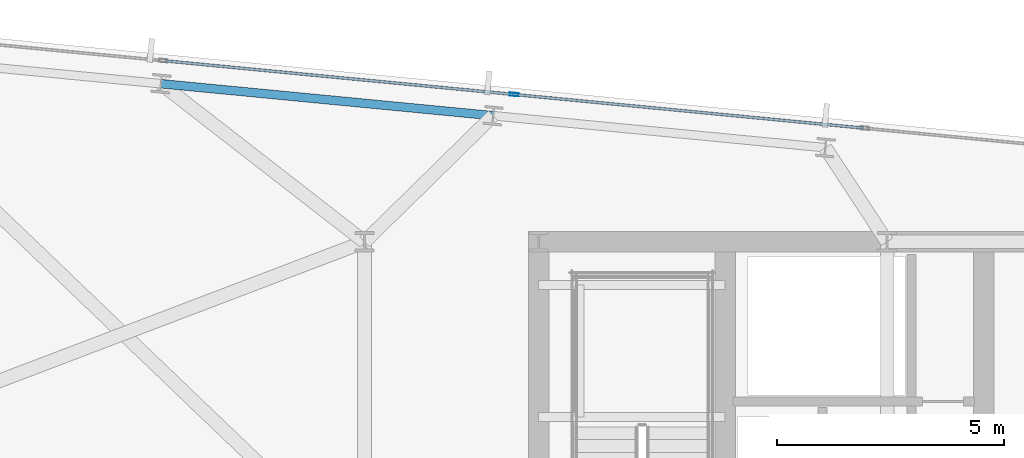
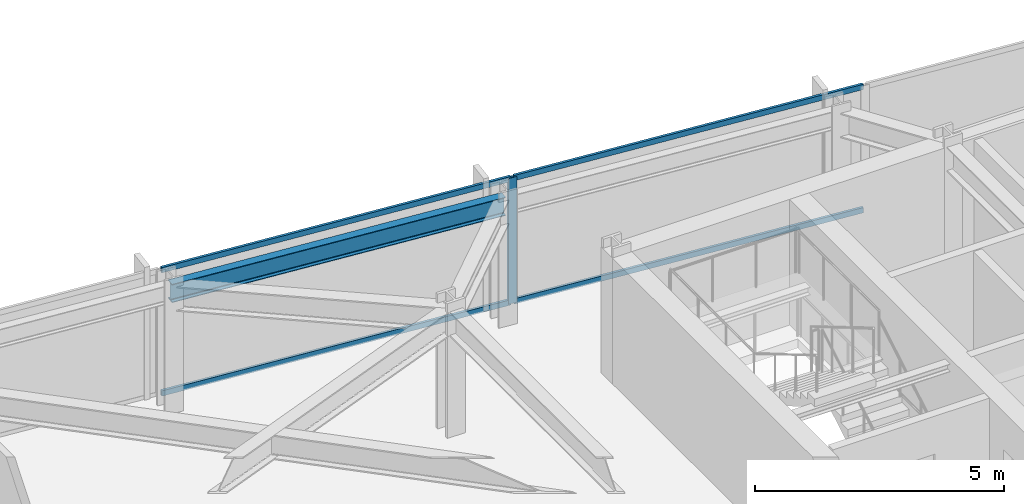
# One storey, part 25 of 38: 5 members, 1 beam, 1 element without a shape of its own.
"""IFC4 building model written with IfcOpenShell, lengths in metres."""

from ifc_helpers import new_model, si_unit, direction, frame, origin, origin_2d, place, context, subcontext, project, spatial, hollow_rectangle, i_section, extrude, material, material_profile, profile_set, type_object, element, aggregate, save


model = new_model("IFC4")

# Units and contexts
model_context = context("Model", 3, precision=1e-05, world=origin(), true_north=direction((0.0, 1.0)))
body_context = subcontext(model_context, "Body", "Model", "MODEL_VIEW")
ifc_project = project(units=[si_unit("LENGTHUNIT", "METRE"), si_unit("AREAUNIT", "SQUARE_METRE"), si_unit("VOLUMEUNIT", "CUBIC_METRE"), si_unit("PLANEANGLEUNIT", "RADIAN"), si_unit("MASSUNIT", "GRAM", prefix="KILO")], contexts=[model_context])

# Site, building, storey
site_placement = place(None, origin())
site = spatial("IfcSite", under=ifc_project, at=site_placement, CompositionType="ELEMENT")
building_placement = place(site_placement, origin())
building = spatial("IfcBuilding", under=site, at=building_placement, Name="Yelkora Congress Tower", CompositionType="ELEMENT")
storey_placement = place(building_placement, frame((0.0, 0.0, 155.60009765625)))
storey = spatial("IfcBuildingStorey", under=building, at=storey_placement, Name="L42", CompositionType="ELEMENT", Elevation=155.60009765625)

# Beam
ifc_material_1 = material(Name="Steel S355J2", Category="steel")
ifc_material_profile_1 = material_profile(ifc_material_1, i_section(OverallWidth=0.18994140625, OverallDepth=0.449951171875, WebThickness=0.009521484375, FlangeThickness=0.0146484375, FilletRadius=0.02099609375, at=origin_2d()), Name="IPE 450")
ifc_profile_set_1 = profile_set([ifc_material_profile_1], Name="Steel S355J2")
beam_type = type_object("IfcBeamType", Name="BM-SPAN-IPE450", PredefinedType="SPANDREL", material=ifc_profile_set_1)
beam_placement = place(storey_placement, frame((22.035400390625, 48.980224609375, 2.85498046875), z_axis=(-0.995393938538, 0.095869218844, 0.0), x_axis=(-0.095869218844, -0.995393938538, 0.0)))
element("IfcBeam", 1, at=beam_placement, inside=storey, type_object=beam_type, Name="L42 Perimeter Beam 14", PredefinedType="SPANDREL", context=body_context, shape_type="SweptSolid", body=[
    extrude(i_section(OverallWidth=0.18994140625, OverallDepth=0.449951171875, WebThickness=0.009521484375, FlangeThickness=0.0146484375, FilletRadius=0.02099609375, at=origin_2d()), origin(), (0.0, 0.0, 1.0), 7.357177734375),
])

# Curtain wall, members
ifc_material_2 = material(Name="Anodised aluminium and insulated glass", Category="aluminium")
curtain_wall_type = type_object("IfcCurtainWallType", Name="CW-SYS-B3", PredefinedType="NOTDEFINED", material=ifc_material_2)
curtain_wall_placement = place(storey_placement, origin())
curtain_wall = element("IfcCurtainWall", 2, at=curtain_wall_placement, inside=storey, type_object=curtain_wall_type, Name="L42 Unitised Curtain Wall 10 (1)", PredefinedType="NOTDEFINED")
ifc_material_3 = material(Name="Anodised aluminium 6063-T6", Category="aluminium")
ifc_material_profile_2 = material_profile(ifc_material_3, hollow_rectangle(XDim=0.070068359375, YDim=0.18994140625, WallThickness=0.00390625, at=origin_2d()), Name="ALU 70x190x4")
ifc_profile_set_2 = profile_set([ifc_material_profile_2], Name="Anodised aluminium 6063-T6")
member_type_1 = type_object("IfcMemberType", Name="MEM-ML-B3", PredefinedType="MULLION", material=ifc_profile_set_2)
member_1_placement = place(storey_placement, frame((22.496826171875, 49.4482421875, 0.0), z_axis=(0.0, 0.0, 1.0), x_axis=(0.095844761168, 0.995396293823, 0.0)))
member_1 = element("IfcMember", 3, at=member_1_placement, type_object=member_type_1, Name="CW-B3 mullion 3", PredefinedType="MULLION", context=body_context, shape_type="SweptSolid", body=[
    extrude(hollow_rectangle(XDim=0.070068359375, YDim=0.18994140625, WallThickness=0.00390625, at=origin_2d()), origin(), (0.0, 0.0, 1.0), 3.079833984375),
])
ifc_material_profile_3 = material_profile(ifc_material_3, hollow_rectangle(XDim=0.06005859375, YDim=0.1298828125, WallThickness=0.00390625, at=origin_2d()), Name="ALU 60x130x4")
ifc_profile_set_3 = profile_set([ifc_material_profile_3], Name="Anodised aluminium 6063-T6")
member_type_2 = type_object("IfcMemberType", Name="MEM-TR-B3", PredefinedType="USERDEFINED", material=ifc_profile_set_3)
member_2_placement = place(storey_placement, frame((14.798095703125, 50.189697265625, 0.02978515625), z_axis=(0.995395016973, -0.095858020971, 0.0), x_axis=(0.095858020971, 0.995395016973, 0.0)))
member_2 = element("IfcMember", 4, at=member_2_placement, type_object=member_type_2, Name="CW-B3 transom 2.1", ObjectType="TRANSOM", PredefinedType="USERDEFINED", context=body_context, shape_type="SweptSolid", body=[
    extrude(hollow_rectangle(XDim=0.06005859375, YDim=0.1298828125, WallThickness=0.00390625, at=origin_2d()), origin(), (0.0, 0.0, 1.0), 7.69921875),
])
member_3_placement = place(storey_placement, frame((14.798095703125, 50.189697265625, 3.0498046875), z_axis=(0.995395016973, -0.095858020971, 0.0), x_axis=(0.095858020971, 0.995395016973, 0.0)))
member_3 = element("IfcMember", 5, at=member_3_placement, type_object=member_type_2, Name="CW-B3 transom 2.2", ObjectType="TRANSOM", PredefinedType="USERDEFINED", context=body_context, shape_type="SweptSolid", body=[
    extrude(hollow_rectangle(XDim=0.06005859375, YDim=0.1298828125, WallThickness=0.00390625, at=origin_2d()), origin(), (0.0, 0.0, 1.0), 7.69921875),
])
member_4_placement = place(storey_placement, frame((22.531494140625, 49.44482421875, 0.02978515625), z_axis=(0.995398333273, -0.095823578082, 0.0), x_axis=(0.095823578082, 0.995398333273, 0.0)))
member_4 = element("IfcMember", 6, at=member_4_placement, type_object=member_type_2, Name="CW-B3 transom 3.1", ObjectType="TRANSOM", PredefinedType="USERDEFINED", context=body_context, shape_type="SweptSolid", body=[
    extrude(hollow_rectangle(XDim=0.06005859375, YDim=0.1298828125, WallThickness=0.00390625, at=origin_2d()), origin(), (0.0, 0.0, 1.0), 7.699462890625),
])
member_5_placement = place(storey_placement, frame((22.531494140625, 49.44482421875, 3.0498046875), z_axis=(0.995398333273, -0.095823578082, 0.0), x_axis=(0.095823578082, 0.995398333273, 0.0)))
member_5 = element("IfcMember", 7, at=member_5_placement, type_object=member_type_2, Name="CW-B3 transom 3.2", ObjectType="TRANSOM", PredefinedType="USERDEFINED", context=body_context, shape_type="SweptSolid", body=[
    extrude(hollow_rectangle(XDim=0.06005859375, YDim=0.1298828125, WallThickness=0.00390625, at=origin_2d()), origin(), (0.0, 0.0, 1.0), 7.699462890625),
])
aggregate(curtain_wall, [member_1, member_2, member_3, member_4, member_5])

save(model, "model.ifc")
